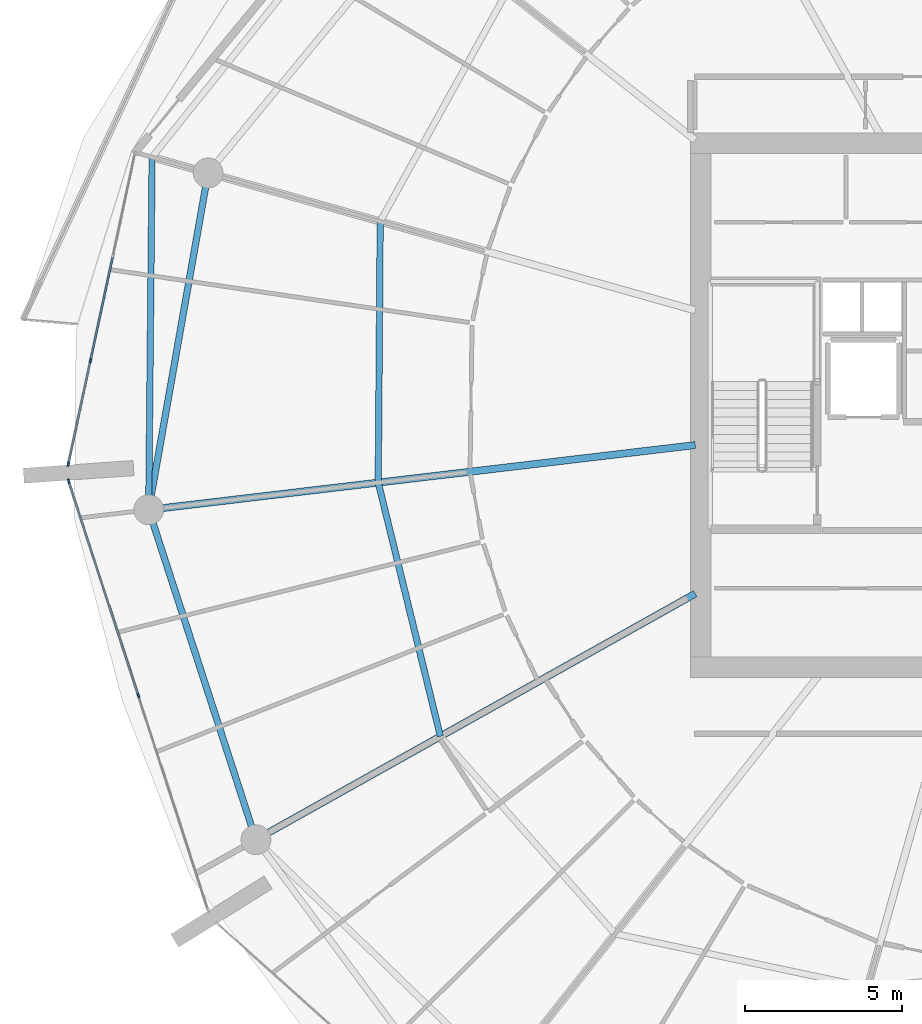
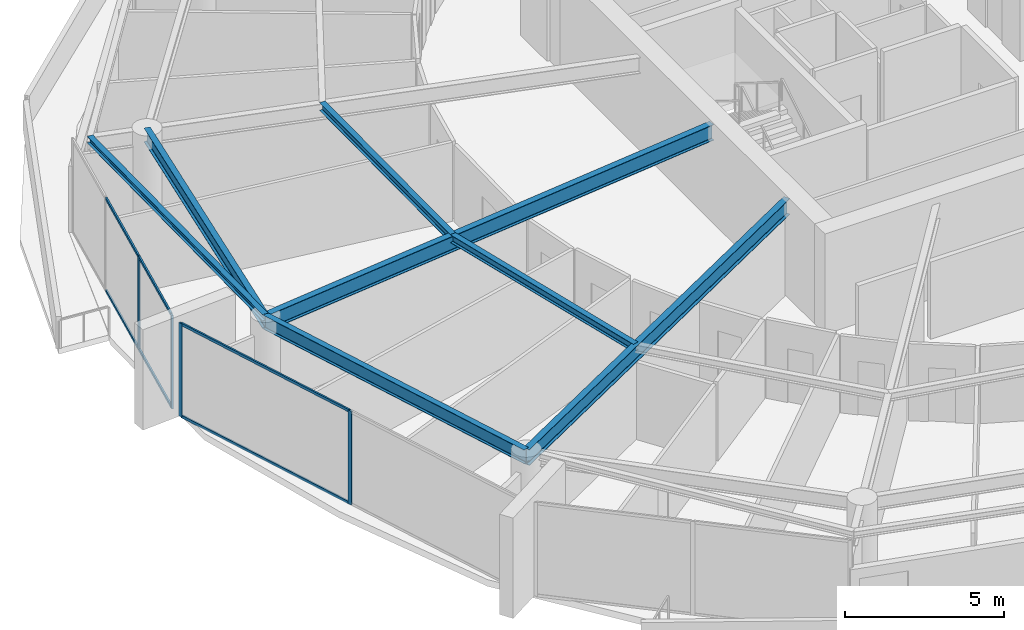
# One storey, part 8 of 31: 10 members, 7 beams, 2 elements without a shape of their own.
"""IFC4 building model written with IfcOpenShell, lengths in metres."""

from ifc_helpers import new_model, si_unit, direction, frame, origin, origin_2d, place, context, subcontext, project, spatial, rectangle, i_section, extrude, material, layer, layer_set, material_profile, profile_set, type_object, element, aggregate, save


model = new_model("IFC4")

# Units and contexts
model_context = context("Model", 3, precision=1e-05, world=origin(), true_north=direction((0.0, 1.0)))
body_context = subcontext(model_context, "Body", "Model", "MODEL_VIEW")
ifc_project = project(units=[si_unit("LENGTHUNIT", "METRE"), si_unit("AREAUNIT", "SQUARE_METRE"), si_unit("VOLUMEUNIT", "CUBIC_METRE"), si_unit("PLANEANGLEUNIT", "RADIAN"), si_unit("MASSUNIT", "GRAM", prefix="KILO")], contexts=[model_context])

# Site, building, storey
site_placement = place(None, origin())
site = spatial("IfcSite", under=ifc_project, at=site_placement, CompositionType="ELEMENT")
building_placement = place(site_placement, origin())
building = spatial("IfcBuilding", under=site, at=building_placement, Name="Kazma Halo Residences", CompositionType="ELEMENT")
storey_placement = place(building_placement, frame((0.0, 0.0, 248.25)))
storey = spatial("IfcBuildingStorey", under=building, at=storey_placement, Name="L62", CompositionType="ELEMENT", Elevation=248.25)

# Beams
ifc_material_1 = material(Name="Steel S355", Category="steel")
ifc_material_profile_1 = material_profile(ifc_material_1, i_section(OverallWidth=0.201904296875, OverallDepth=0.2470703125, WebThickness=0.00732421875, FlangeThickness=0.010986328125, FilletRadius=0.011962890625, at=origin_2d()), Name="W250x49.1")
ifc_profile_set_1 = profile_set([ifc_material_profile_1], Name="Steel S355")
beam_type_1 = type_object("IfcBeamType", Name="BM-BAL-CANT", PredefinedType="BEAM", material=ifc_profile_set_1)
beam_1_placement = place(storey_placement, frame((20.028564453125, 49.888916015625, 3.466552734375), z_axis=(-0.009645503464, -0.999953481049, 0.0), x_axis=(0.999953481049, -0.009645503464, 0.0)))
element("IfcBeam", 1, at=beam_1_placement, inside=storey, type_object=beam_type_1, Name="L62 wave-balcony tie beam 07", PredefinedType="BEAM", context=body_context, shape_type="SweptSolid", body=[
    extrude(i_section(OverallWidth=0.201904296875, OverallDepth=0.2470703125, WebThickness=0.00732421875, FlangeThickness=0.010986328125, FilletRadius=0.011962890625, at=origin_2d()), origin(), (0.0, 0.0, 1.0), 11.212890625),
])
ifc_material_profile_2 = material_profile(ifc_material_1, i_section(OverallWidth=0.22802734375, OverallDepth=0.60791015625, WebThickness=0.01123046875, FlangeThickness=0.017333984375, FilletRadius=0.01806640625, at=origin_2d()), Name="W610x113")
ifc_profile_set_2 = profile_set([ifc_material_profile_2], Name="Steel S355")
beam_type_2 = type_object("IfcBeamType", Name="BM-RAD-W610", PredefinedType="BEAM", material=ifc_profile_set_2)
beam_2_placement = place(storey_placement, frame((37.300048828125, 40.733642578125, 3.285888671875), z_axis=(-0.993067702517, -0.117543771495, 0.0), x_axis=(0.117543771495, -0.993067702517, 0.0)))
element("IfcBeam", 2, at=beam_2_placement, inside=storey, type_object=beam_type_2, Name="L62 radial floor beam 08", PredefinedType="BEAM", context=body_context, shape_type="SweptSolid", body=[
    extrude(i_section(OverallWidth=0.22802734375, OverallDepth=0.60791015625, WebThickness=0.01123046875, FlangeThickness=0.017333984375, FilletRadius=0.01806640625, at=origin_2d()), origin(), (0.0, 0.0, 1.0), 17.5009765625),
])
beam_3_placement = place(storey_placement, frame((37.300048828125, 36.0078125, 3.285888671875), z_axis=(-0.872498735757, -0.488616369049, 0.0), x_axis=(0.488616369049, -0.872498735757, 0.0)))
element("IfcBeam", 3, at=beam_3_placement, inside=storey, type_object=beam_type_2, Name="L62 radial floor beam 09", PredefinedType="BEAM", context=body_context, shape_type="SweptSolid", body=[
    extrude(i_section(OverallWidth=0.22802734375, OverallDepth=0.60791015625, WebThickness=0.01123046875, FlangeThickness=0.017333984375, FilletRadius=0.01806640625, at=origin_2d()), origin(), (0.0, 0.0, 1.0), 16.011962890625),
])
ifc_material_profile_3 = material_profile(ifc_material_1, i_section(OverallWidth=0.202880859375, OverallDepth=0.302978515625, WebThickness=0.007568359375, FlangeThickness=0.01318359375, FilletRadius=0.013916015625, at=origin_2d()), Name="W310x60")
ifc_profile_set_3 = profile_set([ifc_material_profile_3], Name="Steel S355")
beam_type_3 = type_object("IfcBeamType", Name="BM-SEC-W310A", PredefinedType="JOIST", material=ifc_profile_set_3)
beam_4_placement = place(storey_placement, frame((27.282470703125, 47.843017578125, 3.4384765625), z_axis=(-0.007527648623, -0.999971666852, 0.0), x_axis=(0.999971666852, -0.007527648623, 0.0)))
element("IfcBeam", 4, at=beam_4_placement, inside=storey, type_object=beam_type_3, Name="L62 circumferential floor joist 07", PredefinedType="JOIST", context=body_context, shape_type="SweptSolid", body=[
    extrude(i_section(OverallWidth=0.202880859375, OverallDepth=0.302978515625, WebThickness=0.007568359375, FlangeThickness=0.01318359375, FilletRadius=0.013916015625, at=origin_2d()), origin(), (0.0, 0.0, 1.0), 8.302734375),
])
beam_5_placement = place(storey_placement, frame((27.219970703125, 39.54052734375, 3.4384765625), z_axis=(0.237963200266, -0.971274171035, 0.0), x_axis=(0.971274171035, 0.237963200266, 0.0)))
element("IfcBeam", 5, at=beam_5_placement, inside=storey, type_object=beam_type_3, Name="L62 circumferential floor joist 08", PredefinedType="JOIST", context=body_context, shape_type="SweptSolid", body=[
    extrude(i_section(OverallWidth=0.202880859375, OverallDepth=0.302978515625, WebThickness=0.007568359375, FlangeThickness=0.01318359375, FilletRadius=0.013916015625, at=origin_2d()), origin(), (0.0, 0.0, 1.0), 8.309326171875),
])
ifc_material_profile_4 = material_profile(ifc_material_1, i_section(OverallWidth=0.208984375, OverallDepth=0.532958984375, WebThickness=0.01025390625, FlangeThickness=0.015625, FilletRadius=0.01611328125, at=origin_2d()), Name="W530x92")
ifc_profile_set_4 = profile_set([ifc_material_profile_4], Name="Steel S355")
beam_type_4 = type_object("IfcBeamType", Name="BM-SPN-W530", PredefinedType="BEAM", material=ifc_profile_set_4)
beam_6_placement = place(storey_placement, frame((21.80908203125, 49.38671875, 3.323486328125), z_axis=(-0.173663672311, -0.984805020763, 0.0), x_axis=(0.984805020763, -0.173663672311, 0.0)))
element("IfcBeam", 6, at=beam_6_placement, inside=storey, type_object=beam_type_4, Name="L62 perimeter ring beam 07", PredefinedType="BEAM", context=body_context, shape_type="SweptSolid", body=[
    extrude(i_section(OverallWidth=0.208984375, OverallDepth=0.532958984375, WebThickness=0.01025390625, FlangeThickness=0.015625, FilletRadius=0.01611328125, at=origin_2d()), origin(), (0.0, 0.0, 1.0), 10.87548828125),
])
beam_7_placement = place(storey_placement, frame((19.92041015625, 38.676513671875, 3.323486328125), z_axis=(0.309015517474, -0.951056996168, 0.0), x_axis=(0.951056996168, 0.309015517474, 0.0)))
element("IfcBeam", 7, at=beam_7_placement, inside=storey, type_object=beam_type_4, Name="L62 perimeter ring beam 08", PredefinedType="BEAM", context=body_context, shape_type="SweptSolid", body=[
    extrude(i_section(OverallWidth=0.208984375, OverallDepth=0.532958984375, WebThickness=0.01025390625, FlangeThickness=0.015625, FilletRadius=0.01611328125, at=origin_2d()), origin(), (0.0, 0.0, 1.0), 11.032470703125),
])

# Curtain wall, members
ifc_material_2 = material(Name="Aluminium AW-6063 T6 and Triple-Silver Low-E Glass", Category="aluminium")
ifc_layer = layer(ifc_material_2, 0.139892578125)
ifc_layer_set = layer_set([ifc_layer], Name="Aluminium AW-6063 T6 and Triple-Silver Low-E Glass")
curtain_wall_type = type_object("IfcCurtainWallType", Name="CW-SYS-5", PredefinedType="NOTDEFINED", material=ifc_layer_set)
curtain_wall_1_placement = place(storey_placement, origin())
curtain_wall_1 = element("IfcCurtainWall", 8, at=curtain_wall_1_placement, inside=storey, type_object=curtain_wall_type, Name="L62 unitised curtain wall B07", PredefinedType="NOTDEFINED")
ifc_material_3 = material(Name="Aluminium AW-6063 T6", Category="aluminium")
ifc_material_profile_5 = material_profile(ifc_material_3, rectangle(XDim=0.06005859375, YDim=0.139892578125, at=origin_2d()), Name="CWM-60x140")
ifc_profile_set_5 = profile_set([ifc_material_profile_5], Name="Aluminium AW-6063 T6")
member_type_1 = type_object("IfcMemberType", Name="CW-SYS-5-MUL", PredefinedType="MULLION", material=ifc_profile_set_5)
member_1_placement = place(storey_placement, frame((18.0703125, 43.412841796875, 0.0), z_axis=(0.0, 0.0, 1.0), x_axis=(0.97777491373, -0.209657382603, 0.0)))
member_1 = element("IfcMember", 9, at=member_1_placement, type_object=member_type_1, Name="CWS-5 mullion 3", PredefinedType="MULLION", context=body_context, shape_type="SweptSolid", body=[
    extrude(rectangle(XDim=0.06005859375, YDim=0.139892578125, at=origin_2d()), origin(), (0.0, 0.0, 1.0), 3.590087890625),
])
member_2_placement = place(storey_placement, frame((17.3662109375, 40.12841796875, 0.0), z_axis=(0.0, 0.0, 1.0), x_axis=(0.97777491373, -0.209657382603, 0.0)))
member_2 = element("IfcMember", 10, at=member_2_placement, type_object=member_type_1, Name="CWS-5 mullion 4", PredefinedType="MULLION", context=body_context, shape_type="SweptSolid", body=[
    extrude(rectangle(XDim=0.06005859375, YDim=0.139892578125, at=origin_2d()), origin(), (0.0, 0.0, 1.0), 3.590087890625),
])

curtain_wall_2_placement = place(storey_placement, origin())
curtain_wall_2 = element("IfcCurtainWall", 11, at=curtain_wall_2_placement, inside=storey, type_object=curtain_wall_type, Name="L62 unitised curtain wall B08", PredefinedType="NOTDEFINED")
member_3_placement = place(storey_placement, frame((17.377197265625, 39.587646484375, 0.0), z_axis=(0.0, 0.0, 1.0), x_axis=(0.951058464359, 0.309010998786, 0.0)))
member_3 = element("IfcMember", 12, at=member_3_placement, type_object=member_type_1, Name="CWS-5 mullion 1", PredefinedType="MULLION", context=body_context, shape_type="SweptSolid", body=[
    extrude(rectangle(XDim=0.06005859375, YDim=0.139892578125, at=origin_2d()), origin(), (0.0, 0.0, 1.0), 3.590087890625),
])
member_4_placement = place(storey_placement, frame((19.59228515625, 32.769775390625, 0.0), z_axis=(0.0, 0.0, 1.0), x_axis=(0.951058464359, 0.309010998786, 0.0)))
member_4 = element("IfcMember", 13, at=member_4_placement, type_object=member_type_1, Name="CWS-5 mullion 2", PredefinedType="MULLION", context=body_context, shape_type="SweptSolid", body=[
    extrude(rectangle(XDim=0.06005859375, YDim=0.139892578125, at=origin_2d()), origin(), (0.0, 0.0, 1.0), 3.590087890625),
])

# Member
ifc_material_profile_6 = material_profile(ifc_material_3, rectangle(XDim=0.06005859375, YDim=0.10498046875, at=origin_2d()), Name="CWT-60x105")
ifc_profile_set_6 = profile_set([ifc_material_profile_6], Name="Aluminium AW-6063 T6")
member_type_2 = type_object("IfcMemberType", Name="CW-SYS-5-TRN", PredefinedType="USERDEFINED", material=ifc_profile_set_6)
member_5_placement = place(storey_placement, frame((18.774658203125, 46.697265625, 0.030029296875), z_axis=(-0.209664309019, -0.977773428522, 0.0), x_axis=(0.977773428522, -0.209664309019, 0.0)))
member_5 = element("IfcMember", 14, at=member_5_placement, type_object=member_type_2, Name="CWS-5 transom 2.1", ObjectType="TRANSOM", PredefinedType="USERDEFINED", context=body_context, shape_type="SweptSolid", body=[
    extrude(rectangle(XDim=0.06005859375, YDim=0.10498046875, at=origin_2d()), origin(), (0.0, 0.0, 1.0), 3.3291015625),
])

member_6_placement = place(storey_placement, frame((18.774658203125, 46.697265625, 3.56005859375), z_axis=(-0.209664309019, -0.977773428522, 0.0), x_axis=(0.977773428522, -0.209664309019, 0.0)))
member_6 = element("IfcMember", 15, at=member_6_placement, type_object=member_type_2, Name="CWS-5 transom 2.2", ObjectType="TRANSOM", PredefinedType="USERDEFINED", context=body_context, shape_type="SweptSolid", body=[
    extrude(rectangle(XDim=0.06005859375, YDim=0.10498046875, at=origin_2d()), origin(), (0.0, 0.0, 1.0), 3.3291015625),
])

member_7_placement = place(storey_placement, frame((18.064208984375, 43.383544921875, 0.030029296875), z_axis=(-0.209645323239, -0.977777499457, 0.0), x_axis=(0.977777499457, -0.209645323239, 0.0)))
member_7 = element("IfcMember", 16, at=member_7_placement, type_object=member_type_2, Name="CWS-5 transom 3.1", ObjectType="TRANSOM", PredefinedType="USERDEFINED", context=body_context, shape_type="SweptSolid", body=[
    extrude(rectangle(XDim=0.06005859375, YDim=0.10498046875, at=origin_2d()), origin(), (0.0, 0.0, 1.0), 3.299072265625),
])

member_8_placement = place(storey_placement, frame((18.064208984375, 43.383544921875, 3.56005859375), z_axis=(-0.209645323239, -0.977777499457, 0.0), x_axis=(0.977777499457, -0.209645323239, 0.0)))
member_8 = element("IfcMember", 17, at=member_8_placement, type_object=member_type_2, Name="CWS-5 transom 3.2", ObjectType="TRANSOM", PredefinedType="USERDEFINED", context=body_context, shape_type="SweptSolid", body=[
    extrude(rectangle(XDim=0.06005859375, YDim=0.10498046875, at=origin_2d()), origin(), (0.0, 0.0, 1.0), 3.299072265625),
])

aggregate(curtain_wall_1, [member_1, member_2, member_5, member_6, member_7, member_8])

member_9_placement = place(storey_placement, frame((17.386474609375, 39.55908203125, 0.030029296875), z_axis=(0.308995987448, -0.951063341603, 0.0), x_axis=(0.951063341603, 0.308995987448, 0.0)))
member_9 = element("IfcMember", 18, at=member_9_placement, type_object=member_type_2, Name="CWS-5 transom 1.1", ObjectType="TRANSOM", PredefinedType="USERDEFINED", context=body_context, shape_type="SweptSolid", body=[
    extrude(rectangle(XDim=0.06005859375, YDim=0.10498046875, at=origin_2d()), origin(), (0.0, 0.0, 1.0), 7.108642578125),
])

member_10_placement = place(storey_placement, frame((17.386474609375, 39.55908203125, 3.56005859375), z_axis=(0.308995987448, -0.951063341603, 0.0), x_axis=(0.951063341603, 0.308995987448, 0.0)))
member_10 = element("IfcMember", 19, at=member_10_placement, type_object=member_type_2, Name="CWS-5 transom 1.2", ObjectType="TRANSOM", PredefinedType="USERDEFINED", context=body_context, shape_type="SweptSolid", body=[
    extrude(rectangle(XDim=0.06005859375, YDim=0.10498046875, at=origin_2d()), origin(), (0.0, 0.0, 1.0), 7.108642578125),
])

aggregate(curtain_wall_2, [member_3, member_4, member_9, member_10])

save(model, "model.ifc")
